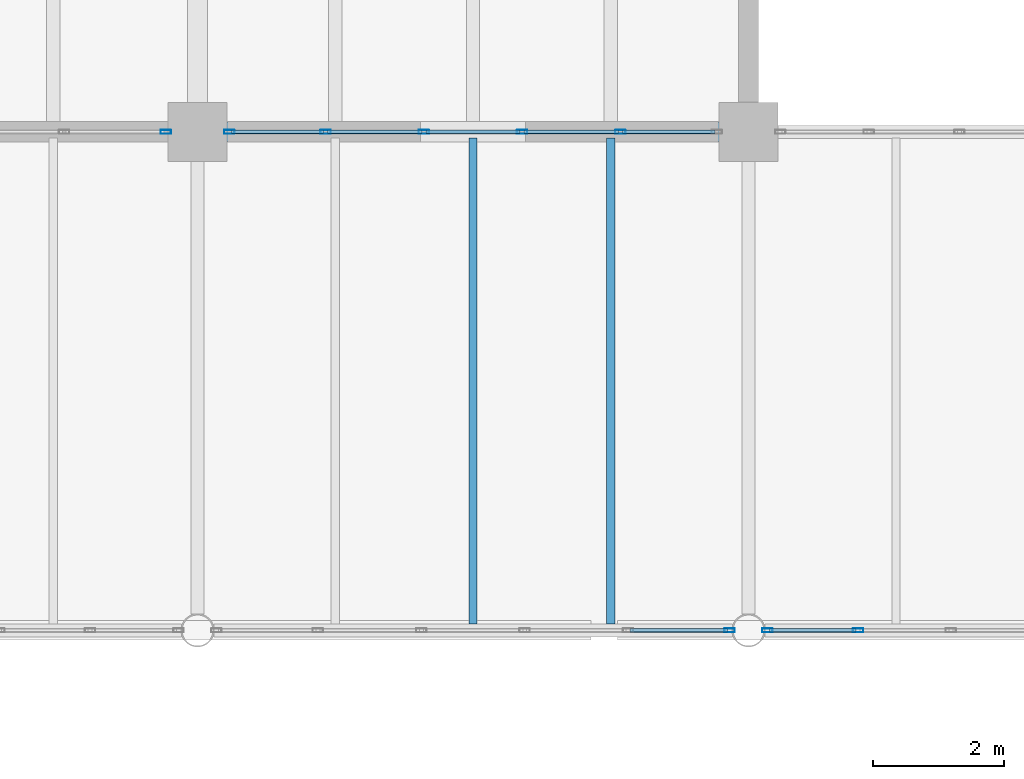
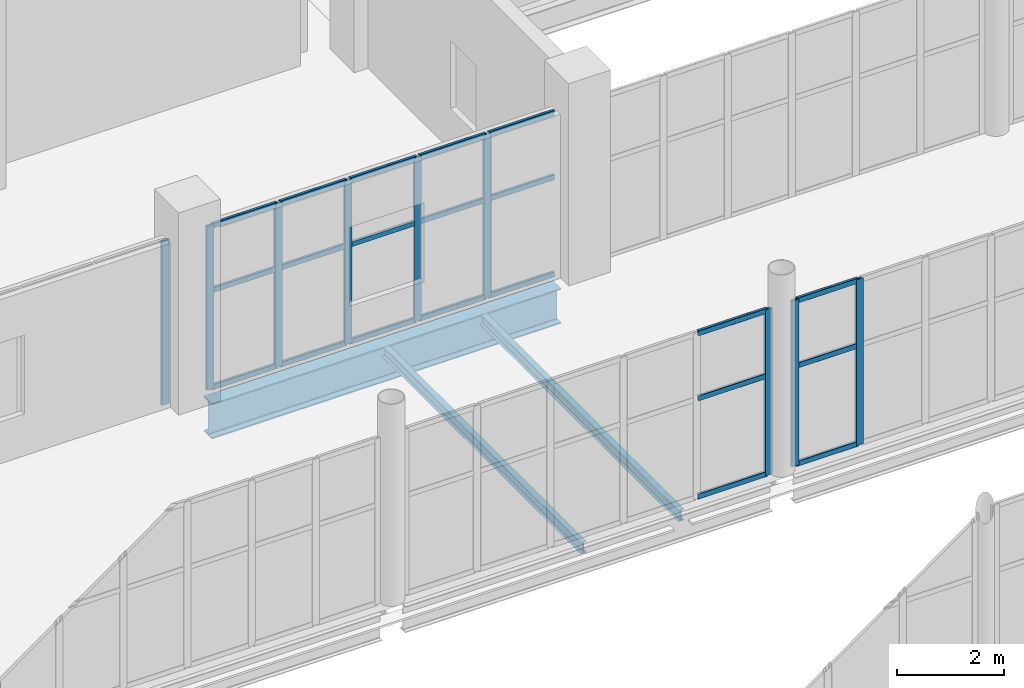
# One storey, part 88 of 172: 30 members, 3 beams, 4 elements without a shape of their own.
"""IFC4 building model written with IfcOpenShell, lengths in metres."""

from ifc_helpers import new_model, si_unit, direction, frame, origin, origin_2d, place, context, subcontext, project, spatial, hollow_rectangle, i_section, extrude, material, material_profile, profile_set, type_object, element, aggregate, save


model = new_model("IFC4")

# Units and contexts
model_context = context("Model", 3, precision=1e-05, world=origin(), true_north=direction((0.0, 1.0)))
body_context = subcontext(model_context, "Body", "Model", "MODEL_VIEW")
ifc_project = project(units=[si_unit("LENGTHUNIT", "METRE"), si_unit("AREAUNIT", "SQUARE_METRE"), si_unit("VOLUMEUNIT", "CUBIC_METRE"), si_unit("PLANEANGLEUNIT", "RADIAN"), si_unit("MASSUNIT", "GRAM", prefix="KILO")], contexts=[model_context])

# Site, building, storey
site_placement = place(None, origin())
site = spatial("IfcSite", under=ifc_project, at=site_placement, CompositionType="ELEMENT")
building_placement = place(site_placement, origin())
building = spatial("IfcBuilding", under=site, at=building_placement, Name="Shengluoqiao Park Theatre", CompositionType="ELEMENT")
storey_placement = place(building_placement, frame((0.0, 0.0, 5.39990234375)))
storey = spatial("IfcBuildingStorey", under=building, at=storey_placement, Name="L01", CompositionType="ELEMENT", Elevation=5.39990234375)

# Curtain wall, member
ifc_material_1 = material(Name="Aluminium 6063-T6", Category="aluminium")
curtain_wall_type = type_object("IfcCurtainWallType", Name="ENV-CW-BRIDGE", PredefinedType="NOTDEFINED", material=ifc_material_1)
curtain_wall_1_placement = place(storey_placement, origin())
curtain_wall_1 = element("IfcCurtainWall", 1, at=curtain_wall_1_placement, inside=storey, type_object=curtain_wall_type, Name="L01 Curtain Wall CWX-L01-0093", PredefinedType="NOTDEFINED")
ifc_material_profile_1 = material_profile(ifc_material_1, hollow_rectangle(XDim=0.06005859375, YDim=0.159912109375, WallThickness=0.00390625, InnerFilletRadius=0.00390625, OuterFilletRadius=0.008056640625, at=origin_2d()), Name="ALU MULLION 160x60x4")
ifc_profile_set_1 = profile_set([ifc_material_profile_1], Name="Aluminium 6063-T6")
member_type_1 = type_object("IfcMemberType", Name="ENV-MUL-160", PredefinedType="MULLION", material=ifc_profile_set_1)
member_1_placement = place(storey_placement, frame((112.112060546875, 68.39990234375, 0.0), z_axis=(0.0, 0.0, 1.0), x_axis=(0.0, 1.0, 0.0)))
member_1 = element("IfcMember", 2, at=member_1_placement, type_object=member_type_1, Name="CW-03 mullion 6", PredefinedType="MULLION", context=body_context, shape_type="SweptSolid", body=[
    extrude(hollow_rectangle(XDim=0.06005859375, YDim=0.159912109375, WallThickness=0.00390625, InnerFilletRadius=0.00390625, OuterFilletRadius=0.008056640625, at=origin_2d()), origin(), (0.0, 0.0, 1.0), 3.772216796875),
])

# Curtain wall, members
curtain_wall_2_placement = place(storey_placement, origin())
curtain_wall_2 = element("IfcCurtainWall", 3, at=curtain_wall_2_placement, inside=storey, type_object=curtain_wall_type, Name="L01 Curtain Wall CWX-L01-0094", PredefinedType="NOTDEFINED")
member_2_placement = place(storey_placement, frame((112.68798828125, 68.39990234375, 0.0), z_axis=(0.0, 0.0, 1.0), x_axis=(0.0, 1.0, 0.0)))
member_2 = element("IfcMember", 4, at=member_2_placement, type_object=member_type_1, Name="CW-03 mullion 1", PredefinedType="MULLION", context=body_context, shape_type="SweptSolid", body=[
    extrude(hollow_rectangle(XDim=0.06005859375, YDim=0.159912109375, WallThickness=0.00390625, InnerFilletRadius=0.00390625, OuterFilletRadius=0.008056640625, at=origin_2d()), origin(), (0.0, 0.0, 1.0), 3.772216796875),
])
member_3_placement = place(storey_placement, frame((114.072021484375, 68.39990234375, 0.0), z_axis=(0.0, 0.0, 1.0), x_axis=(0.0, 1.0, 0.0)))
member_3 = element("IfcMember", 5, at=member_3_placement, type_object=member_type_1, Name="CW-03 mullion 2", PredefinedType="MULLION", context=body_context, shape_type="SweptSolid", body=[
    extrude(hollow_rectangle(XDim=0.06005859375, YDim=0.159912109375, WallThickness=0.00390625, InnerFilletRadius=0.00390625, OuterFilletRadius=0.008056640625, at=origin_2d()), origin(), (0.0, 0.0, 1.0), 3.772216796875),
])

# Curtain wall, member
curtain_wall_3_placement = place(storey_placement, origin())
curtain_wall_3 = element("IfcCurtainWall", 6, at=curtain_wall_3_placement, inside=storey, type_object=curtain_wall_type, Name="L01 Curtain Wall CWX-L01-0100", PredefinedType="NOTDEFINED")
member_4_placement = place(storey_placement, frame((103.51611328125, 76.0, 0.0), z_axis=(0.0, 0.0, 1.0), x_axis=(0.0, 1.0, 0.0)))
member_4 = element("IfcMember", 7, at=member_4_placement, type_object=member_type_1, Name="CW-03 mullion 6", PredefinedType="MULLION", context=body_context, shape_type="SweptSolid", body=[
    extrude(hollow_rectangle(XDim=0.06005859375, YDim=0.159912109375, WallThickness=0.00390625, InnerFilletRadius=0.00390625, OuterFilletRadius=0.008056640625, at=origin_2d()), origin(), (0.0, 0.0, 1.0), 3.732177734375),
])
aggregate(curtain_wall_3, [member_4])

# Curtain wall, members
curtain_wall_4_placement = place(storey_placement, origin())
curtain_wall_4 = element("IfcCurtainWall", 8, at=curtain_wall_4_placement, inside=storey, type_object=curtain_wall_type, Name="L01 Curtain Wall CWX-L01-0101", PredefinedType="NOTDEFINED")
member_5_placement = place(storey_placement, frame((104.48388671875, 76.0, 0.0), z_axis=(0.0, 0.0, 1.0), x_axis=(0.0, 1.0, 0.0)))
member_5 = element("IfcMember", 9, at=member_5_placement, type_object=member_type_1, Name="CW-03 mullion 1", PredefinedType="MULLION", context=body_context, shape_type="SweptSolid", body=[
    extrude(hollow_rectangle(XDim=0.06005859375, YDim=0.159912109375, WallThickness=0.00390625, InnerFilletRadius=0.00390625, OuterFilletRadius=0.008056640625, at=origin_2d()), origin(), (0.0, 0.0, 1.0), 3.732177734375),
])
member_6_placement = place(storey_placement, frame((105.952392578125, 76.0, 0.0), z_axis=(0.0, 0.0, 1.0), x_axis=(0.0, 1.0, 0.0)))
member_6 = element("IfcMember", 10, at=member_6_placement, type_object=member_type_1, Name="CW-03 mullion 2", PredefinedType="MULLION", context=body_context, shape_type="SweptSolid", body=[
    extrude(hollow_rectangle(XDim=0.06005859375, YDim=0.159912109375, WallThickness=0.00390625, InnerFilletRadius=0.00390625, OuterFilletRadius=0.008056640625, at=origin_2d()), origin(), (0.0, 0.0, 1.0), 3.732177734375),
])
member_7_placement = place(storey_placement, frame((107.45068359375, 76.0, 0.0), z_axis=(0.0, 0.0, 1.0), x_axis=(0.0, 1.0, 0.0)))
member_7 = element("IfcMember", 11, at=member_7_placement, type_object=member_type_1, Name="CW-03 mullion 3", PredefinedType="MULLION", context=body_context, shape_type="SweptSolid", body=[
    extrude(hollow_rectangle(XDim=0.06005859375, YDim=0.159912109375, WallThickness=0.00390625, InnerFilletRadius=0.00390625, OuterFilletRadius=0.008056640625, at=origin_2d()), origin(), (0.0, 0.0, 1.0), 3.732177734375),
])
member_8_placement = place(storey_placement, frame((108.94921875, 76.0, 0.0), z_axis=(0.0, 0.0, 1.0), x_axis=(0.0, 1.0, 0.0)))
member_8 = element("IfcMember", 12, at=member_8_placement, type_object=member_type_1, Name="CW-03 mullion 4", PredefinedType="MULLION", context=body_context, shape_type="SweptSolid", body=[
    extrude(hollow_rectangle(XDim=0.06005859375, YDim=0.159912109375, WallThickness=0.00390625, InnerFilletRadius=0.00390625, OuterFilletRadius=0.008056640625, at=origin_2d()), origin(), (0.0, 0.0, 1.0), 3.732177734375),
])
member_9_placement = place(storey_placement, frame((110.447509765625, 76.0, 0.0), z_axis=(0.0, 0.0, 1.0), x_axis=(0.0, 1.0, 0.0)))
member_9 = element("IfcMember", 13, at=member_9_placement, type_object=member_type_1, Name="CW-03 mullion 5", PredefinedType="MULLION", context=body_context, shape_type="SweptSolid", body=[
    extrude(hollow_rectangle(XDim=0.06005859375, YDim=0.159912109375, WallThickness=0.00390625, InnerFilletRadius=0.00390625, OuterFilletRadius=0.008056640625, at=origin_2d()), origin(), (0.0, 0.0, 1.0), 3.732177734375),
])

# Member
ifc_material_profile_2 = material_profile(ifc_material_1, hollow_rectangle(XDim=0.06005859375, YDim=0.1201171875, WallThickness=0.00390625, InnerFilletRadius=0.00390625, OuterFilletRadius=0.008056640625, at=origin_2d()), Name="ALU TRANSOM 120x60x4")
ifc_profile_set_2 = profile_set([ifc_material_profile_2], Name="Aluminium 6063-T6")
member_type_2 = type_object("IfcMemberType", Name="ENV-TRN-120", PredefinedType="USERDEFINED", material=ifc_profile_set_2)
member_10_placement = place(storey_placement, frame((110.59521484375, 68.39990234375, 0.030029296875), z_axis=(1.0, 0.0, 0.0), x_axis=(0.0, 1.0, 0.0)))
member_10 = element("IfcMember", 14, at=member_10_placement, type_object=member_type_2, Name="CW-03 transom 5.1", ObjectType="TRANSOM", PredefinedType="USERDEFINED", context=body_context, shape_type="SweptSolid", body=[
    extrude(hollow_rectangle(XDim=0.06005859375, YDim=0.1201171875, WallThickness=0.00390625, InnerFilletRadius=0.00390625, OuterFilletRadius=0.008056640625, at=origin_2d()), origin(), (0.0, 0.0, 1.0), 1.48681640625),
])

member_11_placement = place(storey_placement, frame((110.59521484375, 68.39990234375, 2.26318359375), z_axis=(1.0, 0.0, 0.0), x_axis=(0.0, 1.0, 0.0)))
member_11 = element("IfcMember", 15, at=member_11_placement, type_object=member_type_2, Name="CW-03 transom 5.2", ObjectType="TRANSOM", PredefinedType="USERDEFINED", context=body_context, shape_type="SweptSolid", body=[
    extrude(hollow_rectangle(XDim=0.06005859375, YDim=0.1201171875, WallThickness=0.00390625, InnerFilletRadius=0.00390625, OuterFilletRadius=0.008056640625, at=origin_2d()), origin(), (0.0, 0.0, 1.0), 1.48681640625),
])

member_12_placement = place(storey_placement, frame((110.59521484375, 68.39990234375, 3.7421875), z_axis=(1.0, 0.0, 0.0), x_axis=(0.0, 1.0, 0.0)))
member_12 = element("IfcMember", 16, at=member_12_placement, type_object=member_type_2, Name="CW-03 transom 5.3", ObjectType="TRANSOM", PredefinedType="USERDEFINED", context=body_context, shape_type="SweptSolid", body=[
    extrude(hollow_rectangle(XDim=0.06005859375, YDim=0.1201171875, WallThickness=0.00390625, InnerFilletRadius=0.00390625, OuterFilletRadius=0.008056640625, at=origin_2d()), origin(), (0.0, 0.0, 1.0), 1.48681640625),
])

aggregate(curtain_wall_1, [member_1, member_10, member_11, member_12])

member_13_placement = place(storey_placement, frame((112.718017578125, 68.39990234375, 0.030029296875), z_axis=(1.0, 0.0, 0.0), x_axis=(0.0, 1.0, 0.0)))
member_13 = element("IfcMember", 17, at=member_13_placement, type_object=member_type_2, Name="CW-03 transom 1.1", ObjectType="TRANSOM", PredefinedType="USERDEFINED", context=body_context, shape_type="SweptSolid", body=[
    extrude(hollow_rectangle(XDim=0.06005859375, YDim=0.1201171875, WallThickness=0.00390625, InnerFilletRadius=0.00390625, OuterFilletRadius=0.008056640625, at=origin_2d()), origin(), (0.0, 0.0, 1.0), 1.323974609375),
])

member_14_placement = place(storey_placement, frame((112.718017578125, 68.39990234375, 2.26318359375), z_axis=(1.0, 0.0, 0.0), x_axis=(0.0, 1.0, 0.0)))
member_14 = element("IfcMember", 18, at=member_14_placement, type_object=member_type_2, Name="CW-03 transom 1.2", ObjectType="TRANSOM", PredefinedType="USERDEFINED", context=body_context, shape_type="SweptSolid", body=[
    extrude(hollow_rectangle(XDim=0.06005859375, YDim=0.1201171875, WallThickness=0.00390625, InnerFilletRadius=0.00390625, OuterFilletRadius=0.008056640625, at=origin_2d()), origin(), (0.0, 0.0, 1.0), 1.323974609375),
])

member_15_placement = place(storey_placement, frame((112.718017578125, 68.39990234375, 3.7421875), z_axis=(1.0, 0.0, 0.0), x_axis=(0.0, 1.0, 0.0)))
member_15 = element("IfcMember", 19, at=member_15_placement, type_object=member_type_2, Name="CW-03 transom 1.3", ObjectType="TRANSOM", PredefinedType="USERDEFINED", context=body_context, shape_type="SweptSolid", body=[
    extrude(hollow_rectangle(XDim=0.06005859375, YDim=0.1201171875, WallThickness=0.00390625, InnerFilletRadius=0.00390625, OuterFilletRadius=0.008056640625, at=origin_2d()), origin(), (0.0, 0.0, 1.0), 1.323974609375),
])

aggregate(curtain_wall_2, [member_2, member_3, member_13, member_14, member_15])

member_16_placement = place(storey_placement, frame((104.513916015625, 76.0, 0.030029296875), z_axis=(1.0, 0.0, 0.0), x_axis=(0.0, 1.0, 0.0)))
member_16 = element("IfcMember", 20, at=member_16_placement, type_object=member_type_2, Name="CW-03 transom 1.1", ObjectType="TRANSOM", PredefinedType="USERDEFINED", context=body_context, shape_type="SweptSolid", body=[
    extrude(hollow_rectangle(XDim=0.06005859375, YDim=0.1201171875, WallThickness=0.00390625, InnerFilletRadius=0.00390625, OuterFilletRadius=0.008056640625, at=origin_2d()), origin(), (0.0, 0.0, 1.0), 1.408447265625),
])

member_17_placement = place(storey_placement, frame((104.513916015625, 76.0, 2.239013671875), z_axis=(1.0, 0.0, 0.0), x_axis=(0.0, 1.0, 0.0)))
member_17 = element("IfcMember", 21, at=member_17_placement, type_object=member_type_2, Name="CW-03 transom 1.2", ObjectType="TRANSOM", PredefinedType="USERDEFINED", context=body_context, shape_type="SweptSolid", body=[
    extrude(hollow_rectangle(XDim=0.06005859375, YDim=0.1201171875, WallThickness=0.00390625, InnerFilletRadius=0.00390625, OuterFilletRadius=0.008056640625, at=origin_2d()), origin(), (0.0, 0.0, 1.0), 1.408447265625),
])

member_18_placement = place(storey_placement, frame((104.513916015625, 76.0, 3.7021484375), z_axis=(1.0, 0.0, 0.0), x_axis=(0.0, 1.0, 0.0)))
member_18 = element("IfcMember", 22, at=member_18_placement, type_object=member_type_2, Name="CW-03 transom 1.3", ObjectType="TRANSOM", PredefinedType="USERDEFINED", context=body_context, shape_type="SweptSolid", body=[
    extrude(hollow_rectangle(XDim=0.06005859375, YDim=0.1201171875, WallThickness=0.00390625, InnerFilletRadius=0.00390625, OuterFilletRadius=0.008056640625, at=origin_2d()), origin(), (0.0, 0.0, 1.0), 1.408447265625),
])

member_19_placement = place(storey_placement, frame((105.982421875, 76.0, 0.030029296875), z_axis=(1.0, 0.0, 0.0), x_axis=(0.0, 1.0, 0.0)))
member_19 = element("IfcMember", 23, at=member_19_placement, type_object=member_type_2, Name="CW-03 transom 2.1", ObjectType="TRANSOM", PredefinedType="USERDEFINED", context=body_context, shape_type="SweptSolid", body=[
    extrude(hollow_rectangle(XDim=0.06005859375, YDim=0.1201171875, WallThickness=0.00390625, InnerFilletRadius=0.00390625, OuterFilletRadius=0.008056640625, at=origin_2d()), origin(), (0.0, 0.0, 1.0), 1.4384765625),
])

member_20_placement = place(storey_placement, frame((105.982421875, 76.0, 2.239013671875), z_axis=(1.0, 0.0, 0.0), x_axis=(0.0, 1.0, 0.0)))
member_20 = element("IfcMember", 24, at=member_20_placement, type_object=member_type_2, Name="CW-03 transom 2.2", ObjectType="TRANSOM", PredefinedType="USERDEFINED", context=body_context, shape_type="SweptSolid", body=[
    extrude(hollow_rectangle(XDim=0.06005859375, YDim=0.1201171875, WallThickness=0.00390625, InnerFilletRadius=0.00390625, OuterFilletRadius=0.008056640625, at=origin_2d()), origin(), (0.0, 0.0, 1.0), 1.4384765625),
])

member_21_placement = place(storey_placement, frame((105.982421875, 76.0, 3.7021484375), z_axis=(1.0, 0.0, 0.0), x_axis=(0.0, 1.0, 0.0)))
member_21 = element("IfcMember", 25, at=member_21_placement, type_object=member_type_2, Name="CW-03 transom 2.3", ObjectType="TRANSOM", PredefinedType="USERDEFINED", context=body_context, shape_type="SweptSolid", body=[
    extrude(hollow_rectangle(XDim=0.06005859375, YDim=0.1201171875, WallThickness=0.00390625, InnerFilletRadius=0.00390625, OuterFilletRadius=0.008056640625, at=origin_2d()), origin(), (0.0, 0.0, 1.0), 1.4384765625),
])

member_22_placement = place(storey_placement, frame((107.480712890625, 76.0, 0.030029296875), z_axis=(1.0, 0.0, 0.0), x_axis=(0.0, 1.0, 0.0)))
member_22 = element("IfcMember", 26, at=member_22_placement, type_object=member_type_2, Name="CW-03 transom 3.1", ObjectType="TRANSOM", PredefinedType="USERDEFINED", context=body_context, shape_type="SweptSolid", body=[
    extrude(hollow_rectangle(XDim=0.06005859375, YDim=0.1201171875, WallThickness=0.00390625, InnerFilletRadius=0.00390625, OuterFilletRadius=0.008056640625, at=origin_2d()), origin(), (0.0, 0.0, 1.0), 1.4384765625),
])

member_23_placement = place(storey_placement, frame((107.480712890625, 76.0, 2.239013671875), z_axis=(1.0, 0.0, 0.0), x_axis=(0.0, 1.0, 0.0)))
member_23 = element("IfcMember", 27, at=member_23_placement, type_object=member_type_2, Name="CW-03 transom 3.2", ObjectType="TRANSOM", PredefinedType="USERDEFINED", context=body_context, shape_type="SweptSolid", body=[
    extrude(hollow_rectangle(XDim=0.06005859375, YDim=0.1201171875, WallThickness=0.00390625, InnerFilletRadius=0.00390625, OuterFilletRadius=0.008056640625, at=origin_2d()), origin(), (0.0, 0.0, 1.0), 1.4384765625),
])

member_24_placement = place(storey_placement, frame((107.480712890625, 76.0, 3.7021484375), z_axis=(1.0, 0.0, 0.0), x_axis=(0.0, 1.0, 0.0)))
member_24 = element("IfcMember", 28, at=member_24_placement, type_object=member_type_2, Name="CW-03 transom 3.3", ObjectType="TRANSOM", PredefinedType="USERDEFINED", context=body_context, shape_type="SweptSolid", body=[
    extrude(hollow_rectangle(XDim=0.06005859375, YDim=0.1201171875, WallThickness=0.00390625, InnerFilletRadius=0.00390625, OuterFilletRadius=0.008056640625, at=origin_2d()), origin(), (0.0, 0.0, 1.0), 1.4384765625),
])

member_25_placement = place(storey_placement, frame((108.979248046875, 76.0, 0.030029296875), z_axis=(1.0, 0.0, 0.0), x_axis=(0.0, 1.0, 0.0)))
member_25 = element("IfcMember", 29, at=member_25_placement, type_object=member_type_2, Name="CW-03 transom 4.1", ObjectType="TRANSOM", PredefinedType="USERDEFINED", context=body_context, shape_type="SweptSolid", body=[
    extrude(hollow_rectangle(XDim=0.06005859375, YDim=0.1201171875, WallThickness=0.00390625, InnerFilletRadius=0.00390625, OuterFilletRadius=0.008056640625, at=origin_2d()), origin(), (0.0, 0.0, 1.0), 1.438232421875),
])

member_26_placement = place(storey_placement, frame((108.979248046875, 76.0, 2.239013671875), z_axis=(1.0, 0.0, 0.0), x_axis=(0.0, 1.0, 0.0)))
member_26 = element("IfcMember", 30, at=member_26_placement, type_object=member_type_2, Name="CW-03 transom 4.2", ObjectType="TRANSOM", PredefinedType="USERDEFINED", context=body_context, shape_type="SweptSolid", body=[
    extrude(hollow_rectangle(XDim=0.06005859375, YDim=0.1201171875, WallThickness=0.00390625, InnerFilletRadius=0.00390625, OuterFilletRadius=0.008056640625, at=origin_2d()), origin(), (0.0, 0.0, 1.0), 1.438232421875),
])

member_27_placement = place(storey_placement, frame((108.979248046875, 76.0, 3.7021484375), z_axis=(1.0, 0.0, 0.0), x_axis=(0.0, 1.0, 0.0)))
member_27 = element("IfcMember", 31, at=member_27_placement, type_object=member_type_2, Name="CW-03 transom 4.3", ObjectType="TRANSOM", PredefinedType="USERDEFINED", context=body_context, shape_type="SweptSolid", body=[
    extrude(hollow_rectangle(XDim=0.06005859375, YDim=0.1201171875, WallThickness=0.00390625, InnerFilletRadius=0.00390625, OuterFilletRadius=0.008056640625, at=origin_2d()), origin(), (0.0, 0.0, 1.0), 1.438232421875),
])

member_28_placement = place(storey_placement, frame((110.4775390625, 76.0, 0.030029296875), z_axis=(1.0, 0.0, 0.0), x_axis=(0.0, 1.0, 0.0)))
member_28 = element("IfcMember", 32, at=member_28_placement, type_object=member_type_2, Name="CW-03 transom 5.1", ObjectType="TRANSOM", PredefinedType="USERDEFINED", context=body_context, shape_type="SweptSolid", body=[
    extrude(hollow_rectangle(XDim=0.06005859375, YDim=0.1201171875, WallThickness=0.00390625, InnerFilletRadius=0.00390625, OuterFilletRadius=0.008056640625, at=origin_2d()), origin(), (0.0, 0.0, 1.0), 1.408447265625),
])

member_29_placement = place(storey_placement, frame((110.4775390625, 76.0, 2.239013671875), z_axis=(1.0, 0.0, 0.0), x_axis=(0.0, 1.0, 0.0)))
member_29 = element("IfcMember", 33, at=member_29_placement, type_object=member_type_2, Name="CW-03 transom 5.2", ObjectType="TRANSOM", PredefinedType="USERDEFINED", context=body_context, shape_type="SweptSolid", body=[
    extrude(hollow_rectangle(XDim=0.06005859375, YDim=0.1201171875, WallThickness=0.00390625, InnerFilletRadius=0.00390625, OuterFilletRadius=0.008056640625, at=origin_2d()), origin(), (0.0, 0.0, 1.0), 1.408447265625),
])

member_30_placement = place(storey_placement, frame((110.4775390625, 76.0, 3.7021484375), z_axis=(1.0, 0.0, 0.0), x_axis=(0.0, 1.0, 0.0)))
member_30 = element("IfcMember", 34, at=member_30_placement, type_object=member_type_2, Name="CW-03 transom 5.3", ObjectType="TRANSOM", PredefinedType="USERDEFINED", context=body_context, shape_type="SweptSolid", body=[
    extrude(hollow_rectangle(XDim=0.06005859375, YDim=0.1201171875, WallThickness=0.00390625, InnerFilletRadius=0.00390625, OuterFilletRadius=0.008056640625, at=origin_2d()), origin(), (0.0, 0.0, 1.0), 1.408447265625),
])

aggregate(curtain_wall_4, [member_5, member_6, member_7, member_8, member_9, member_16, member_17, member_18, member_19, member_20, member_21, member_22, member_23, member_24, member_25, member_26, member_27, member_28, member_29, member_30])

# Beams
ifc_material_2 = material(Name="Steel Q390", Category="steel")
ifc_material_profile_3 = material_profile(ifc_material_2, i_section(OverallWidth=0.300048828125, OverallDepth=0.800048828125, WebThickness=0.013916015625, FlangeThickness=0.02587890625, FilletRadius=0.02587890625, at=origin_2d()), Name="HN 800x300x14x26")
ifc_profile_set_3 = profile_set([ifc_material_profile_3], Name="Steel Q390")
beam_type_1 = type_object("IfcBeamType", Name="STR-BM-G-HN800", PredefinedType="BEAM", material=ifc_profile_set_3)
beam_placement = place(storey_placement, frame((104.444091796875, 76.0, -0.639892578125), z_axis=(1.0, 0.0, 0.0), x_axis=(0.0, 1.0, 0.0)))
element("IfcBeam", 35, at=beam_placement, inside=storey, type_object=beam_type_1, Name="L01 Primary Girder 00324", PredefinedType="BEAM", context=body_context, shape_type="SweptSolid", body=[
    extrude(i_section(OverallWidth=0.300048828125, OverallDepth=0.800048828125, WebThickness=0.013916015625, FlangeThickness=0.02587890625, FilletRadius=0.02587890625, at=origin_2d()), origin(), (0.0, 0.0, 1.0), 7.511962890625),
])
ifc_material_3 = material(Name="Steel Q355", Category="steel")
ifc_material_profile_4 = material_profile(ifc_material_3, i_section(OverallWidth=0.125, OverallDepth=0.25, WebThickness=0.006103515625, FlangeThickness=0.009033203125, FilletRadius=0.010009765625, at=origin_2d()), Name="HN 250x125x6x9")
ifc_profile_set_4 = profile_set([ifc_material_profile_4], Name="Steel Q355")
beam_type_2 = type_object("IfcBeamType", Name="STR-BM-J-HN250", PredefinedType="JOIST", material=ifc_profile_set_4)
for number, where, z_axis, x_axis, name in (
    (36, (108.199951171875, 68.494384765625, -0.364990234375), (0.0, 1.0, 0.0), (-1.0, 0.0, 0.0), "L01 Composite Joist 00544"),
    (37, (110.300048828125, 68.494384765625, -0.364990234375), (0.0, 1.0, 0.0), (-1.0, 0.0, 0.0), "L01 Composite Joist 00545"),
):
    element("IfcBeam", number, at=place(storey_placement, frame(where, z_axis=z_axis, x_axis=x_axis)), inside=storey, type_object=beam_type_2, Name=name, PredefinedType="JOIST", context=body_context, shape_type="SweptSolid", body=[
        extrude(i_section(OverallWidth=0.125, OverallDepth=0.25, WebThickness=0.006103515625, FlangeThickness=0.009033203125, FilletRadius=0.010009765625, at=origin_2d()), origin(), (0.0, 0.0, 1.0), 7.4111328125),
    ])

save(model, "model.ifc")
